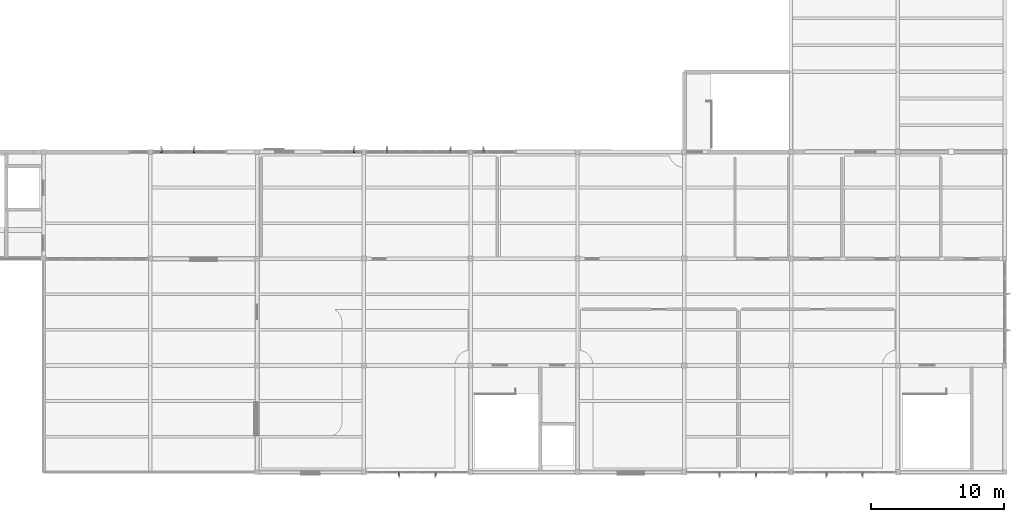
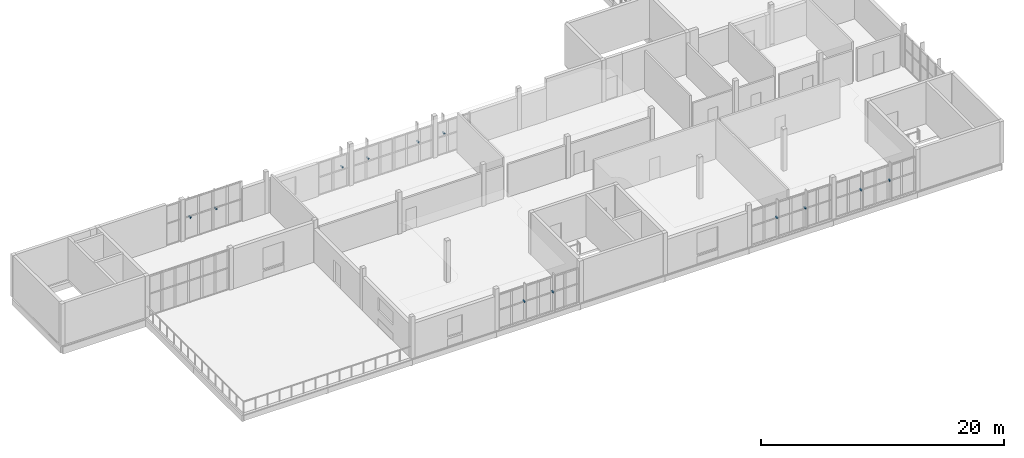
# One storey, part 11 of 15: 12 discrete accessories.
"""IFC4 building model written with IfcOpenShell, lengths in metres."""

from ifc_helpers import new_model, si_unit, direction, frame, origin, origin_2d, place, context, subcontext, project, spatial, rectangle, extrude, material, type_object, element, save


model = new_model("IFC4")

# Units and contexts
model_context = context("Model", 3, precision=1e-05, world=origin(), true_north=direction((0.0, 1.0)))
body_context = subcontext(model_context, "Body", "Model", "MODEL_VIEW")
ifc_project = project(units=[si_unit("LENGTHUNIT", "METRE"), si_unit("AREAUNIT", "SQUARE_METRE"), si_unit("VOLUMEUNIT", "CUBIC_METRE"), si_unit("PLANEANGLEUNIT", "RADIAN"), si_unit("MASSUNIT", "GRAM", prefix="KILO")], contexts=[model_context])

# Site, building, storey
site_placement = place(None, origin())
site = spatial("IfcSite", under=ifc_project, at=site_placement, CompositionType="ELEMENT")
building_placement = place(site_placement, origin())
building = spatial("IfcBuilding", under=site, at=building_placement, Name="Solvane Community Centre", CompositionType="ELEMENT")
storey_placement = place(building_placement, frame((0.0, 0.0, 18.0)))
storey = spatial("IfcBuildingStorey", under=building, at=storey_placement, Name="L04", CompositionType="ELEMENT", Elevation=18.0)

# Discrete accessories
ifc_material = material(Name="Steel ASTM A572 Grade 50", Category="steel")
discrete_accessory_type = type_object("IfcDiscreteAccessoryType", Name="Fin Mounting Bracket 120x120", PredefinedType="BRACKET", material=ifc_material)
for number, where, z_axis, x_axis, name in (
    (1, (129.360107421875, 5.89990234375, 1.93994140625), (0.0, 0.0, 1.0), (-1.0, 0.0, 0.0), "Fin Bracket 121"),
    (2, (126.639892578125, 5.89990234375, 1.93994140625), (0.0, 0.0, 1.0), (-1.0, 0.0, 0.0), "Fin Bracket 122"),
    (3, (121.360107421875, 5.89990234375, 1.93994140625), (0.0, 0.0, 1.0), (-1.0, 0.0, 0.0), "Fin Bracket 123"),
    (4, (118.639892578125, 5.89990234375, 1.93994140625), (0.0, 0.0, 1.0), (-1.0, 0.0, 0.0), "Fin Bracket 124"),
    (5, (97.360107421875, 5.89990234375, 1.93994140625), (0.0, 0.0, 1.0), (-1.0, 0.0, 0.0), "Fin Bracket 125"),
    (6, (94.639892578125, 5.89990234375, 1.93994140625), (0.0, 0.0, 1.0), (-1.0, 0.0, 0.0), "Fin Bracket 126"),
    (7, (76.82763671875, 30.10009765625, 1.93994140625), (0.0, 0.0, 1.0), (1.0, 0.0, 0.0), "Fin Bracket 127"),
    (8, (79.283203125, 30.10009765625, 1.93994140625), (0.0, 0.0, 1.0), (1.0, 0.0, 0.0), "Fin Bracket 128"),
    (9, (91.272216796875, 30.10009765625, 1.93994140625), (0.0, 0.0, 1.0), (1.0, 0.0, 0.0), "Fin Bracket 129"),
    (10, (93.727783203125, 30.10009765625, 1.93994140625), (0.0, 0.0, 1.0), (1.0, 0.0, 0.0), "Fin Bracket 130"),
    (11, (98.494384765625, 30.10009765625, 1.93994140625), (0.0, 0.0, 1.0), (1.0, 0.0, 0.0), "Fin Bracket 131"),
    (12, (100.949951171875, 30.10009765625, 1.93994140625), (0.0, 0.0, 1.0), (1.0, 0.0, 0.0), "Fin Bracket 132"),
):
    element("IfcDiscreteAccessory", number, at=place(storey_placement, frame(where, z_axis=z_axis, x_axis=x_axis)), inside=storey, type_object=discrete_accessory_type, Name=name, PredefinedType="BRACKET", context=body_context, shape_type="SweptSolid", body=[
        extrude(rectangle(XDim=0.1201171875, YDim=0.300048828125, at=origin_2d()), origin(), (0.0, 0.0, 1.0), 0.1201171875),
    ])

save(model, "model.ifc")
